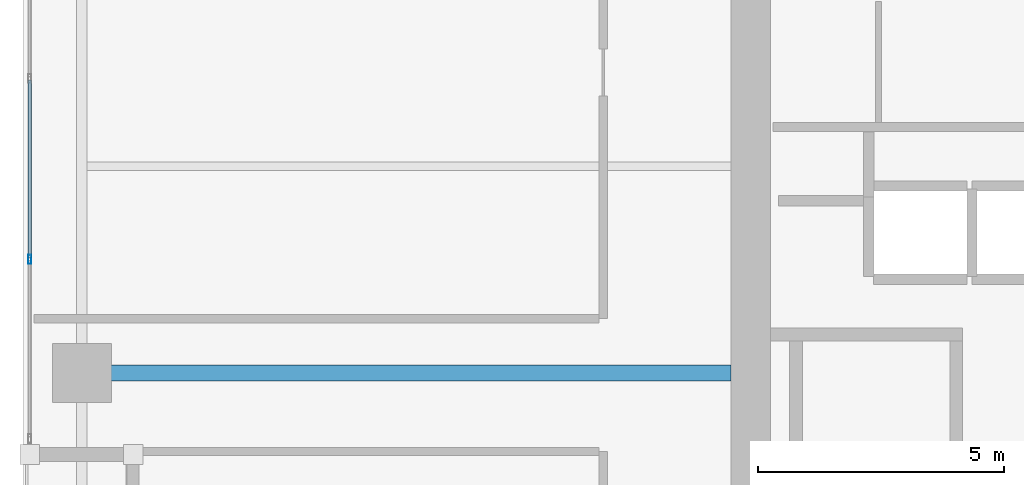
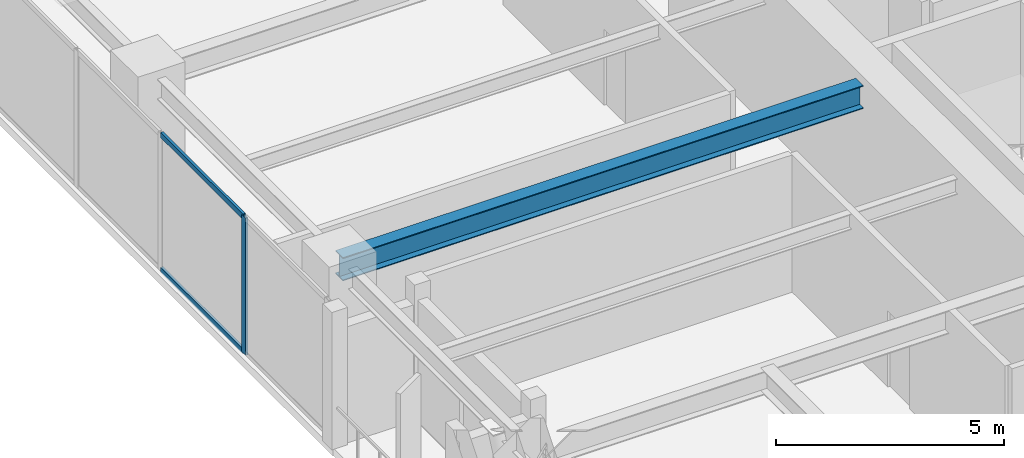
# One storey, part 4 of 30: 3 members, 1 beam, 1 element without a shape of its own.
"""IFC4 building model written with IfcOpenShell, lengths in metres."""

from ifc_helpers import new_model, si_unit, direction, frame, origin, origin_2d, place, context, subcontext, project, spatial, hollow_rectangle, i_section, extrude, material, layer, layer_set, material_profile, profile_set, type_object, element, aggregate, save


model = new_model("IFC4")

# Units and contexts
model_context = context("Model", 3, precision=1e-05, world=origin(), true_north=direction((0.0, 1.0)))
body_context = subcontext(model_context, "Body", "Model", "MODEL_VIEW")
ifc_project = project(units=[si_unit("LENGTHUNIT", "METRE"), si_unit("AREAUNIT", "SQUARE_METRE"), si_unit("VOLUMEUNIT", "CUBIC_METRE"), si_unit("PLANEANGLEUNIT", "RADIAN"), si_unit("MASSUNIT", "GRAM", prefix="KILO")], contexts=[model_context])

# Site, building, storey
site_placement = place(None, origin())
site = spatial("IfcSite", under=ifc_project, at=site_placement, CompositionType="ELEMENT")
building_placement = place(site_placement, origin())
building = spatial("IfcBuilding", under=site, at=building_placement, Name="Kiyonajd Concourse Tower", CompositionType="ELEMENT")
storey_placement = place(building_placement, frame((0.0, 0.0, 166.199951171875)))
storey = spatial("IfcBuildingStorey", under=building, at=storey_placement, Name="L42", CompositionType="ELEMENT", Elevation=166.199951171875)

# Beam
ifc_material_1 = material(Name="Steel ASTM A992 Grade 50", Category="steel")
ifc_material_profile_1 = material_profile(ifc_material_1, i_section(OverallWidth=0.326904296875, OverallDepth=0.6220703125, WebThickness=0.015380859375, FlangeThickness=0.0244140625, at=origin_2d()), Name="W610X195")
ifc_profile_set_1 = profile_set([ifc_material_profile_1], Name="Steel ASTM A992 Grade 50")
beam_type = type_object("IfcBeamType", Name="BM-TWR-610A", PredefinedType="BEAM", material=ifc_profile_set_1)
beam_placement = place(storey_placement, frame((19.199951171875, 36.0, 3.369140625), z_axis=(1.0, 0.0, 0.0), x_axis=(0.0, 1.0, 0.0)))
element("IfcBeam", 1, at=beam_placement, inside=storey, type_object=beam_type, Name="L42 West Lease Girder", PredefinedType="BEAM", context=body_context, shape_type="SweptSolid", body=[
    extrude(i_section(OverallWidth=0.326904296875, OverallDepth=0.6220703125, WebThickness=0.015380859375, FlangeThickness=0.0244140625, at=origin_2d()), origin(), (0.0, 0.0, 1.0), 13.199951171875),
])

# Curtain wall, members
ifc_material_2 = material(Name="Thermally Broken Anodised Aluminium", Category="aluminium")
ifc_layer = layer(ifc_material_2, 0.179931640625)
ifc_layer_set = layer_set([ifc_layer], Name="Thermally Broken Anodised Aluminium")
curtain_wall_type = type_object("IfcCurtainWallType", Name="CW-SYS-03", PredefinedType="NOTDEFINED", material=ifc_layer_set)
curtain_wall_placement = place(storey_placement, origin())
curtain_wall = element("IfcCurtainWall", 2, at=curtain_wall_placement, inside=storey, type_object=curtain_wall_type, Name="L42 Unitised Curtain Wall CW3", PredefinedType="NOTDEFINED")
ifc_material_profile_2 = material_profile(ifc_material_2, hollow_rectangle(XDim=0.06494140625, YDim=0.179931640625, WallThickness=0.00390625, at=origin_2d()), Name="MULL-65x180")
ifc_profile_set_2 = profile_set([ifc_material_profile_2], Name="Thermally Broken Anodised Aluminium")
member_type_1 = type_object("IfcMemberType", Name="MB-CW-MULL1", PredefinedType="MULLION", material=ifc_profile_set_2)
member_1_placement = place(storey_placement, frame((18.139892578125, 38.306884765625, 0.0), z_axis=(0.0, 0.0, 1.0), x_axis=(-1.0, 0.0, 0.0)))
member_1 = element("IfcMember", 3, at=member_1_placement, type_object=member_type_1, Name="CW3 mullion 2", PredefinedType="MULLION", context=body_context, shape_type="SweptSolid", body=[
    extrude(hollow_rectangle(XDim=0.06494140625, YDim=0.179931640625, WallThickness=0.00390625, at=origin_2d()), origin(), (0.0, 0.0, 1.0), 3.679931640625),
])
ifc_material_profile_3 = material_profile(ifc_material_2, hollow_rectangle(XDim=0.06494140625, YDim=0.139892578125, WallThickness=0.00390625, at=origin_2d()), Name="TRAN-65x140")
ifc_profile_set_3 = profile_set([ifc_material_profile_3], Name="Thermally Broken Anodised Aluminium")
member_type_2 = type_object("IfcMemberType", Name="MB-CW-TRAN1", PredefinedType="USERDEFINED", material=ifc_profile_set_3)
member_2_placement = place(storey_placement, frame((18.139892578125, 38.33935546875, 0.032470703125), z_axis=(0.0, 1.0, 0.0), x_axis=(-1.0, 0.0, 0.0)))
member_2 = element("IfcMember", 4, at=member_2_placement, type_object=member_type_2, Name="CW3 transom 2.1", ObjectType="TRANSOM", PredefinedType="USERDEFINED", context=body_context, shape_type="SweptSolid", body=[
    extrude(hollow_rectangle(XDim=0.06494140625, YDim=0.139892578125, WallThickness=0.00390625, at=origin_2d()), origin(), (0.0, 0.0, 1.0), 3.612060546875),
])
member_3_placement = place(storey_placement, frame((18.139892578125, 38.33935546875, 3.6474609375), z_axis=(0.0, 1.0, 0.0), x_axis=(-1.0, 0.0, 0.0)))
member_3 = element("IfcMember", 5, at=member_3_placement, type_object=member_type_2, Name="CW3 transom 2.2", ObjectType="TRANSOM", PredefinedType="USERDEFINED", context=body_context, shape_type="SweptSolid", body=[
    extrude(hollow_rectangle(XDim=0.06494140625, YDim=0.139892578125, WallThickness=0.00390625, at=origin_2d()), origin(), (0.0, 0.0, 1.0), 3.612060546875),
])
aggregate(curtain_wall, [member_1, member_2, member_3])

save(model, "model.ifc")
